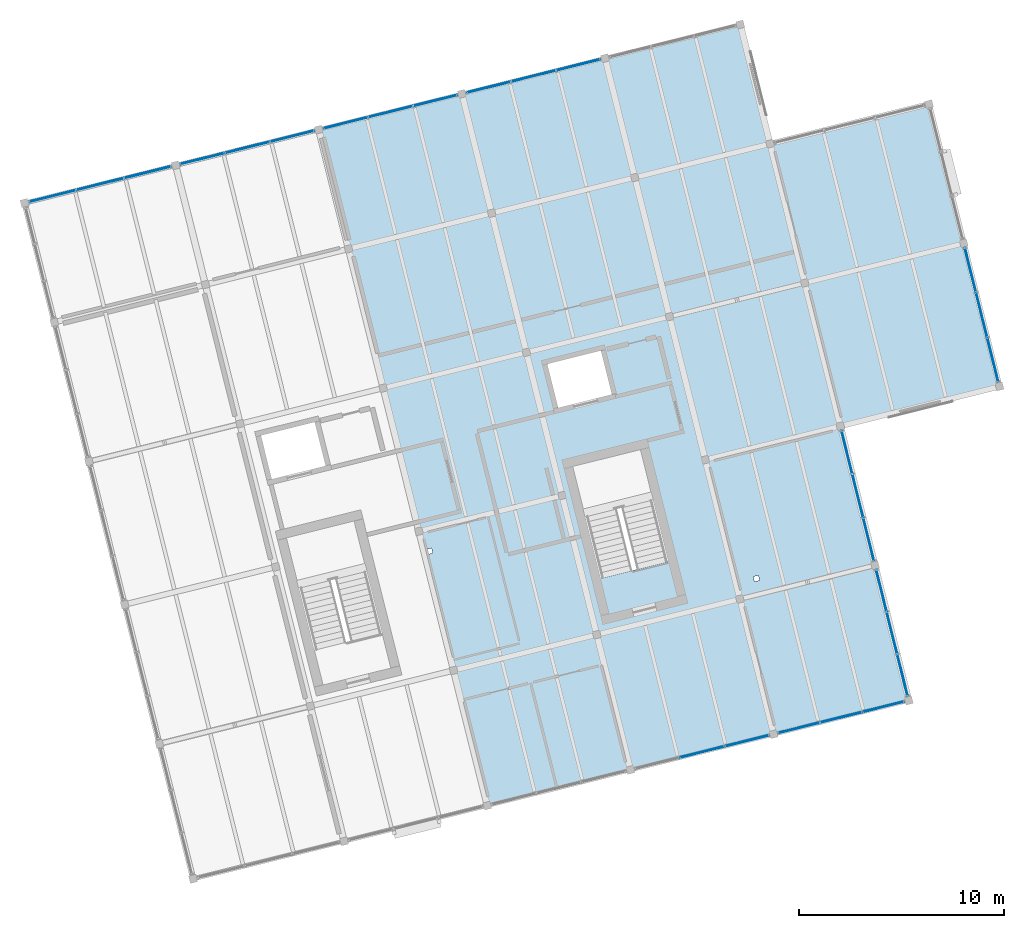
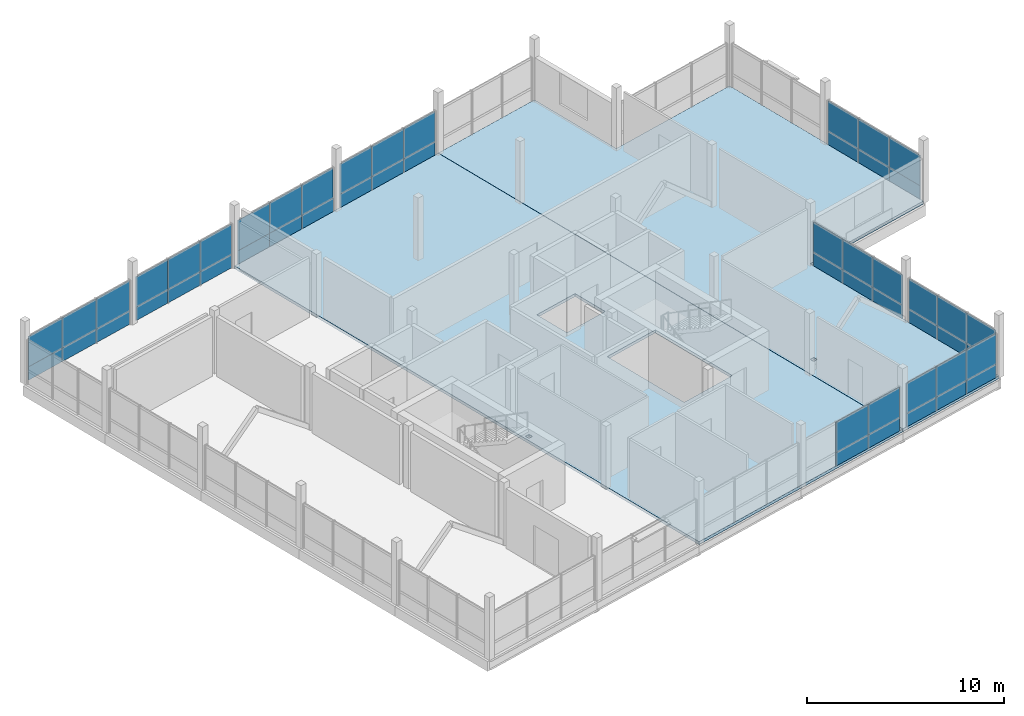
# One storey, part 22 of 26: 52 plates, 2 slabs, 9 elements without a shape of their own.
"""IFC4 building model written with IfcOpenShell, lengths in metres."""

from ifc_helpers import new_model, si_unit, direction, frame, origin, origin_2d, place, context, subcontext, project, spatial, polyline, rectangle, outline, extrude, material, layer, layer_set, type_object, element, aggregate, save


model = new_model("IFC4")

# Units and contexts
model_context = context("Model", 3, precision=1e-05, world=origin(), true_north=direction((0.0, 1.0)))
body_context = subcontext(model_context, "Body", "Model", "MODEL_VIEW")
ifc_project = project(units=[si_unit("LENGTHUNIT", "METRE"), si_unit("AREAUNIT", "SQUARE_METRE"), si_unit("VOLUMEUNIT", "CUBIC_METRE"), si_unit("PLANEANGLEUNIT", "RADIAN"), si_unit("MASSUNIT", "GRAM", prefix="KILO")], contexts=[model_context])

# Site, building, storey
site_placement = place(None, origin())
site = spatial("IfcSite", under=ifc_project, at=site_placement, CompositionType="ELEMENT")
building_placement = place(site_placement, origin())
building = spatial("IfcBuilding", under=site, at=building_placement, Name="Meriwether Solvik Hall", CompositionType="ELEMENT")
storey_placement = place(building_placement, frame((0.0, 0.0, 41.699951171875)))
storey = spatial("IfcBuildingStorey", under=building, at=storey_placement, Name="L10", CompositionType="ELEMENT", Elevation=41.699951171875)

# Curtain wall, plates
ifc_material_1 = material(Name="Thermally Broken Anodised Aluminium 6063-T6 and Low-E Glass", Category="aluminium")
ifc_layer_1 = layer(ifc_material_1, 0.179931640625)
ifc_layer_set_1 = layer_set([ifc_layer_1], Name="Thermally Broken Anodised Aluminium 6063-T6 and Low-E Glass")
curtain_wall_type_1 = type_object("IfcCurtainWallType", Name="CW-UNIT-E", PredefinedType="USERDEFINED", material=ifc_layer_set_1)
curtain_wall_1_placement = place(storey_placement, origin())
curtain_wall_1 = element("IfcCurtainWall", 1, at=curtain_wall_1_placement, inside=storey, type_object=curtain_wall_type_1, Name="Curtain Wall E0_B4 (L10)", ObjectType="UNITISED CURTAIN WALL", PredefinedType="USERDEFINED")
ifc_material_2 = material(Name="Low-Emissivity Double-Glazed Laminated Glass", Category="glass")
ifc_layer_2 = layer(ifc_material_2, 0.031982421875)
ifc_layer_set_2 = layer_set([ifc_layer_2], Name="Low-Emissivity Double-Glazed Laminated Glass")
plate_type_1 = type_object("IfcPlateType", Name="PLT-GLZ-180X185", PredefinedType="CURTAIN_PANEL", material=ifc_layer_set_2)
plate_1_placement = place(storey_placement, frame((102.28662109375, 49.59912109375, 0.8310546875), z_axis=(0.0, 0.0, 1.0), x_axis=(-0.970295737161, -0.241921851942, 0.0)))
plate_1 = element("IfcPlate", 2, at=plate_1_placement, type_object=plate_type_1, Name="Low-E Vision Glazing Panel 1", PredefinedType="CURTAIN_PANEL", context=body_context, shape_type="SweptSolid", body=[
    extrude(rectangle(XDim=2.091064453125, YDim=0.033935546875, at=origin_2d()), origin(), (0.0, 0.0, 1.0), 1.87890625),
])
plate_2_placement = place(storey_placement, frame((100.231689453125, 49.086669921875, 0.8310546875), z_axis=(0.0, 0.0, 1.0), x_axis=(-0.970295737161, -0.241921851942, 0.0)))
plate_2 = element("IfcPlate", 3, at=plate_2_placement, type_object=plate_type_1, Name="Low-E Vision Glazing Panel 2", PredefinedType="CURTAIN_PANEL", context=body_context, shape_type="SweptSolid", body=[
    extrude(rectangle(XDim=2.12890625, YDim=0.033935546875, at=origin_2d()), origin(), (0.0, 0.0, 1.0), 1.87890625),
])
plate_3_placement = place(storey_placement, frame((98.176513671875, 48.57421875, 0.8310546875), z_axis=(0.0, 0.0, 1.0), x_axis=(-0.970295737161, -0.241921851942, 0.0)))
plate_3 = element("IfcPlate", 4, at=plate_3_placement, type_object=plate_type_1, Name="Low-E Vision Glazing Panel 3", PredefinedType="CURTAIN_PANEL", context=body_context, shape_type="SweptSolid", body=[
    extrude(rectangle(XDim=2.091064453125, YDim=0.033935546875, at=origin_2d()), origin(), (0.0, 0.0, 1.0), 1.87890625),
])

ifc_material_3 = material(Name="Thermally Broken Anodised Aluminium 6063-T6 and Low-E Glass", Category="aluminium")
ifc_layer_3 = layer(ifc_material_3, 0.179931640625)
ifc_layer_set_3 = layer_set([ifc_layer_3], Name="Thermally Broken Anodised Aluminium 6063-T6 and Low-E Glass")
curtain_wall_type_2 = type_object("IfcCurtainWallType", Name="CW-UNIT-B", PredefinedType="USERDEFINED", material=ifc_layer_set_3)
curtain_wall_2_placement = place(storey_placement, origin())
curtain_wall_2 = element("IfcCurtainWall", 5, at=curtain_wall_2_placement, inside=storey, type_object=curtain_wall_type_2, Name="Curtain Wall E1_B0 (L10)", ObjectType="UNITISED CURTAIN WALL", PredefinedType="USERDEFINED")
plate_4_placement = place(storey_placement, frame((102.19580078125, 55.26318359375, 0.8310546875), z_axis=(0.0, 0.0, 1.0), x_axis=(0.241921851942, -0.970295737161, 0.0)))
plate_4 = element("IfcPlate", 6, at=plate_4_placement, type_object=plate_type_1, Name="Low-E Vision Glazing Panel 1", PredefinedType="CURTAIN_PANEL", context=body_context, shape_type="SweptSolid", body=[
    extrude(rectangle(XDim=2.091064453125, YDim=0.033935546875, at=origin_2d()), origin(), (0.0, 0.0, 1.0), 1.87890625),
])
plate_5_placement = place(storey_placement, frame((102.7080078125, 53.208251953125, 0.8310546875), z_axis=(0.0, 0.0, 1.0), x_axis=(0.241921851942, -0.970295737161, 0.0)))
plate_5 = element("IfcPlate", 7, at=plate_5_placement, type_object=plate_type_1, Name="Low-E Vision Glazing Panel 2", PredefinedType="CURTAIN_PANEL", context=body_context, shape_type="SweptSolid", body=[
    extrude(rectangle(XDim=2.12890625, YDim=0.033935546875, at=origin_2d()), origin(), (0.0, 0.0, 1.0), 1.87890625),
])
plate_6_placement = place(storey_placement, frame((103.220458984375, 51.153076171875, 0.8310546875), z_axis=(0.0, 0.0, 1.0), x_axis=(0.241921851942, -0.970295737161, 0.0)))
plate_6 = element("IfcPlate", 8, at=plate_6_placement, type_object=plate_type_1, Name="Low-E Vision Glazing Panel 3", PredefinedType="CURTAIN_PANEL", context=body_context, shape_type="SweptSolid", body=[
    extrude(rectangle(XDim=2.091064453125, YDim=0.033935546875, at=origin_2d()), origin(), (0.0, 0.0, 1.0), 1.87890625),
])

ifc_material_4 = material(Name="Thermally Broken Anodised Aluminium 6063-T6 and Low-E Glass", Category="aluminium")
ifc_layer_4 = layer(ifc_material_4, 0.179931640625)
ifc_layer_set_4 = layer_set([ifc_layer_4], Name="Thermally Broken Anodised Aluminium 6063-T6 and Low-E Glass")
curtain_wall_type_3 = type_object("IfcCurtainWallType", Name="CW-UNIT-D", PredefinedType="USERDEFINED", material=ifc_layer_set_4)
curtain_wall_3_placement = place(storey_placement, origin())
curtain_wall_3 = element("IfcCurtainWall", 9, at=curtain_wall_3_placement, inside=storey, type_object=curtain_wall_type_3, Name="Curtain Wall E3_B0 (L10)", ObjectType="UNITISED CURTAIN WALL", PredefinedType="USERDEFINED")
plate_7_placement = place(storey_placement, frame((106.538818359375, 70.912109375, 0.8310546875), z_axis=(0.0, 0.0, 1.0), x_axis=(0.241921897937, -0.970295725693, 0.0)))
plate_7 = element("IfcPlate", 10, at=plate_7_placement, type_object=plate_type_1, Name="Low-E Vision Glazing Panel 1", PredefinedType="CURTAIN_PANEL", context=body_context, shape_type="SweptSolid", body=[
    extrude(rectangle(XDim=2.224365234375, YDim=0.033935546875, at=origin_2d()), origin(), (0.0, 0.0, 1.0), 1.87890625),
])
plate_8_placement = place(storey_placement, frame((107.08349609375, 68.727783203125, 0.8310546875), z_axis=(0.0, 0.0, 1.0), x_axis=(0.241921897937, -0.970295725693, 0.0)))
plate_8 = element("IfcPlate", 11, at=plate_8_placement, type_object=plate_type_1, Name="Low-E Vision Glazing Panel 2", PredefinedType="CURTAIN_PANEL", context=body_context, shape_type="SweptSolid", body=[
    extrude(rectangle(XDim=2.26220703125, YDim=0.033935546875, at=origin_2d()), origin(), (0.0, 0.0, 1.0), 1.87890625),
])
plate_9_placement = place(storey_placement, frame((107.628173828125, 66.543212890625, 0.8310546875), z_axis=(0.0, 0.0, 1.0), x_axis=(0.241921897937, -0.970295725693, 0.0)))
plate_9 = element("IfcPlate", 12, at=plate_9_placement, type_object=plate_type_1, Name="Low-E Vision Glazing Panel 3", PredefinedType="CURTAIN_PANEL", context=body_context, shape_type="SweptSolid", body=[
    extrude(rectangle(XDim=2.224365234375, YDim=0.033935546875, at=origin_2d()), origin(), (0.0, 0.0, 1.0), 1.87890625),
])

ifc_material_5 = material(Name="Thermally Broken Anodised Aluminium 6063-T6 and Low-E Glass", Category="aluminium")
ifc_layer_5 = layer(ifc_material_5, 0.179931640625)
ifc_layer_set_5 = layer_set([ifc_layer_5], Name="Thermally Broken Anodised Aluminium 6063-T6 and Low-E Glass")
curtain_wall_type_4 = type_object("IfcCurtainWallType", Name="CW-UNIT-G", PredefinedType="USERDEFINED", material=ifc_layer_set_5)
curtain_wall_4_placement = place(storey_placement, origin())
curtain_wall_4 = element("IfcCurtainWall", 13, at=curtain_wall_4_placement, inside=storey, type_object=curtain_wall_type_4, Name="Curtain Wall E6_B0 (L10)", ObjectType="UNITISED CURTAIN WALL", PredefinedType="USERDEFINED")
plate_10_placement = place(storey_placement, frame((61.748046875, 74.532470703125, 0.8310546875), z_axis=(0.0, 0.0, 1.0), x_axis=(0.97029575617, 0.241921775701, 0.0)))
plate_10 = element("IfcPlate", 14, at=plate_10_placement, type_object=plate_type_1, Name="Low-E Vision Glazing Panel 1", PredefinedType="CURTAIN_PANEL", context=body_context, shape_type="SweptSolid", body=[
    extrude(rectangle(XDim=2.357666015625, YDim=0.033935546875, at=origin_2d()), origin(), (0.0, 0.0, 1.0), 1.87890625),
])
plate_11_placement = place(storey_placement, frame((64.061767578125, 75.109375, 0.8310546875), z_axis=(0.0, 0.0, 1.0), x_axis=(0.97029575617, 0.241921775701, 0.0)))
plate_11 = element("IfcPlate", 15, at=plate_11_placement, type_object=plate_type_1, Name="Low-E Vision Glazing Panel 2", PredefinedType="CURTAIN_PANEL", context=body_context, shape_type="SweptSolid", body=[
    extrude(rectangle(XDim=2.395751953125, YDim=0.033935546875, at=origin_2d()), origin(), (0.0, 0.0, 1.0), 1.87890625),
])
plate_12_placement = place(storey_placement, frame((66.37548828125, 75.686279296875, 0.8310546875), z_axis=(0.0, 0.0, 1.0), x_axis=(0.97029575617, 0.241921775701, 0.0)))
plate_12 = element("IfcPlate", 16, at=plate_12_placement, type_object=plate_type_1, Name="Low-E Vision Glazing Panel 3", PredefinedType="CURTAIN_PANEL", context=body_context, shape_type="SweptSolid", body=[
    extrude(rectangle(XDim=2.357666015625, YDim=0.033935546875, at=origin_2d()), origin(), (0.0, 0.0, 1.0), 1.87890625),
])

curtain_wall_5_placement = place(storey_placement, origin())
curtain_wall_5 = element("IfcCurtainWall", 17, at=curtain_wall_5_placement, inside=storey, type_object=curtain_wall_type_3, Name="Curtain Wall E0_B3 (L10)", ObjectType="UNITISED CURTAIN WALL", PredefinedType="USERDEFINED")
ifc_material_6 = material(Name="Low-Emissivity Double-Glazed Laminated Glass", Category="glass")
ifc_layer_6 = layer(ifc_material_6, 0.031982421875)
ifc_layer_set_6 = layer_set([ifc_layer_6], Name="Low-Emissivity Double-Glazed Laminated Glass")
plate_type_2 = type_object("IfcPlateType", Name="PLT-GLZ-195X185", PredefinedType="CURTAIN_PANEL", material=ifc_layer_set_6)
plate_13_placement = place(storey_placement, frame((95.6240234375, 47.937744140625, 0.8310546875), z_axis=(0.0, 0.0, 1.0), x_axis=(-0.97029573429, -0.241921863457, 0.0)))
plate_13 = element("IfcPlate", 18, at=plate_13_placement, type_object=plate_type_2, Name="Low-E Vision Glazing Panel 1", PredefinedType="CURTAIN_PANEL", context=body_context, shape_type="SweptSolid", body=[
    extrude(rectangle(XDim=2.224365234375, YDim=0.033935546875, at=origin_2d()), origin(), (0.0, 0.0, 1.0), 1.87890625),
])
plate_14_placement = place(storey_placement, frame((93.439453125, 47.393310546875, 0.8310546875), z_axis=(0.0, 0.0, 1.0), x_axis=(-0.97029573429, -0.241921863457, 0.0)))
plate_14 = element("IfcPlate", 19, at=plate_14_placement, type_object=plate_type_2, Name="Low-E Vision Glazing Panel 2", PredefinedType="CURTAIN_PANEL", context=body_context, shape_type="SweptSolid", body=[
    extrude(rectangle(XDim=2.26220703125, YDim=0.033935546875, at=origin_2d()), origin(), (0.0, 0.0, 1.0), 1.87890625),
])

ifc_material_7 = material(Name="Thermally Broken Anodised Aluminium 6063-T6 and Low-E Glass", Category="aluminium")
ifc_layer_7 = layer(ifc_material_7, 0.179931640625)
ifc_layer_set_7 = layer_set([ifc_layer_7], Name="Thermally Broken Anodised Aluminium 6063-T6 and Low-E Glass")
curtain_wall_type_5 = type_object("IfcCurtainWallType", Name="CW-UNIT-C", PredefinedType="USERDEFINED", material=ifc_layer_set_7)
curtain_wall_6_placement = place(storey_placement, origin())
curtain_wall_6 = element("IfcCurtainWall", 20, at=curtain_wall_6_placement, inside=storey, type_object=curtain_wall_type_5, Name="Curtain Wall E6_B3 (L10)", ObjectType="UNITISED CURTAIN WALL", PredefinedType="USERDEFINED")
plate_15_placement = place(storey_placement, frame((83.02978515625, 79.838623046875, 0.8310546875), z_axis=(0.0, 0.0, 1.0), x_axis=(0.970295725693, 0.241921897937, 0.0)))
plate_15 = element("IfcPlate", 21, at=plate_15_placement, type_object=plate_type_2, Name="Low-E Vision Glazing Panel 1", PredefinedType="CURTAIN_PANEL", context=body_context, shape_type="SweptSolid", body=[
    extrude(rectangle(XDim=2.224365234375, YDim=0.033935546875, at=origin_2d()), origin(), (0.0, 0.0, 1.0), 1.87890625),
])
plate_16_placement = place(storey_placement, frame((85.214111328125, 80.38330078125, 0.8310546875), z_axis=(0.0, 0.0, 1.0), x_axis=(0.970295725693, 0.241921897937, 0.0)))
plate_16 = element("IfcPlate", 22, at=plate_16_placement, type_object=plate_type_2, Name="Low-E Vision Glazing Panel 2", PredefinedType="CURTAIN_PANEL", context=body_context, shape_type="SweptSolid", body=[
    extrude(rectangle(XDim=2.26220703125, YDim=0.033935546875, at=origin_2d()), origin(), (0.0, 0.0, 1.0), 1.87890625),
])
plate_17_placement = place(storey_placement, frame((87.398681640625, 80.927978515625, 0.8310546875), z_axis=(0.0, 0.0, 1.0), x_axis=(0.970295725693, 0.241921897937, 0.0)))
plate_17 = element("IfcPlate", 23, at=plate_17_placement, type_object=plate_type_2, Name="Low-E Vision Glazing Panel 3", PredefinedType="CURTAIN_PANEL", context=body_context, shape_type="SweptSolid", body=[
    extrude(rectangle(XDim=2.224365234375, YDim=0.033935546875, at=origin_2d()), origin(), (0.0, 0.0, 1.0), 1.87890625),
])

curtain_wall_7_placement = place(storey_placement, origin())
curtain_wall_7 = element("IfcCurtainWall", 24, at=curtain_wall_7_placement, inside=storey, type_object=curtain_wall_type_2, Name="Curtain Wall E6_B2 (L10)", ObjectType="UNITISED CURTAIN WALL", PredefinedType="USERDEFINED")
ifc_material_8 = material(Name="Low-Emissivity Double-Glazed Laminated Glass", Category="glass")
ifc_layer_8 = layer(ifc_material_8, 0.031982421875)
ifc_layer_set_8 = layer_set([ifc_layer_8], Name="Low-Emissivity Double-Glazed Laminated Glass")
plate_type_3 = type_object("IfcPlateType", Name="PLT-GLZ-210X195", PredefinedType="CURTAIN_PANEL", material=ifc_layer_set_8)
plate_18_placement = place(storey_placement, frame((76.043701171875, 78.0966796875, 0.8310546875), z_axis=(0.0, 0.0, 1.0), x_axis=(0.970295725693, 0.241921897937, 0.0)))
plate_18 = element("IfcPlate", 25, at=plate_18_placement, type_object=plate_type_3, Name="Low-E Vision Glazing Panel 1", PredefinedType="CURTAIN_PANEL", context=body_context, shape_type="SweptSolid", body=[
    extrude(rectangle(XDim=2.224365234375, YDim=0.033935546875, at=origin_2d()), origin(), (0.0, 0.0, 1.0), 1.87890625),
])
plate_19_placement = place(storey_placement, frame((78.22802734375, 78.641357421875, 0.8310546875), z_axis=(0.0, 0.0, 1.0), x_axis=(0.970295725693, 0.241921897937, 0.0)))
plate_19 = element("IfcPlate", 26, at=plate_19_placement, type_object=plate_type_3, Name="Low-E Vision Glazing Panel 2", PredefinedType="CURTAIN_PANEL", context=body_context, shape_type="SweptSolid", body=[
    extrude(rectangle(XDim=2.26220703125, YDim=0.033935546875, at=origin_2d()), origin(), (0.0, 0.0, 1.0), 1.87890625),
])
plate_20_placement = place(storey_placement, frame((80.41259765625, 79.18603515625, 0.8310546875), z_axis=(0.0, 0.0, 1.0), x_axis=(0.970295725693, 0.241921897937, 0.0)))
plate_20 = element("IfcPlate", 27, at=plate_20_placement, type_object=plate_type_3, Name="Low-E Vision Glazing Panel 3", PredefinedType="CURTAIN_PANEL", context=body_context, shape_type="SweptSolid", body=[
    extrude(rectangle(XDim=2.224365234375, YDim=0.033935546875, at=origin_2d()), origin(), (0.0, 0.0, 1.0), 1.87890625),
])

curtain_wall_8_placement = place(storey_placement, origin())
curtain_wall_8 = element("IfcCurtainWall", 28, at=curtain_wall_8_placement, inside=storey, type_object=curtain_wall_type_5, Name="Curtain Wall E1_B1 (L10)", ObjectType="UNITISED CURTAIN WALL", PredefinedType="USERDEFINED")
ifc_material_9 = material(Name="Low-Emissivity Double-Glazed Laminated Glass", Category="glass")
ifc_layer_9 = layer(ifc_material_9, 0.031982421875)
ifc_layer_set_9 = layer_set([ifc_layer_9], Name="Low-Emissivity Double-Glazed Laminated Glass")
plate_type_4 = type_object("IfcPlateType", Name="PLT-GLZ-225X195", PredefinedType="CURTAIN_PANEL", material=ifc_layer_set_9)
plate_21_placement = place(storey_placement, frame((100.51025390625, 62.02294921875, 0.8310546875), z_axis=(0.0, 0.0, 1.0), x_axis=(0.241921804422, -0.970295749009, 0.0)))
plate_21 = element("IfcPlate", 29, at=plate_21_placement, type_object=plate_type_4, Name="Low-E Vision Glazing Panel 1", PredefinedType="CURTAIN_PANEL", context=body_context, shape_type="SweptSolid", body=[
    extrude(rectangle(XDim=2.15771484375, YDim=0.033935546875, at=origin_2d()), origin(), (0.0, 0.0, 1.0), 1.87890625),
])
plate_22_placement = place(storey_placement, frame((101.038818359375, 59.9033203125, 0.8310546875), z_axis=(0.0, 0.0, 1.0), x_axis=(0.241921804422, -0.970295749009, 0.0)))
plate_22 = element("IfcPlate", 30, at=plate_22_placement, type_object=plate_type_4, Name="Low-E Vision Glazing Panel 2", PredefinedType="CURTAIN_PANEL", context=body_context, shape_type="SweptSolid", body=[
    extrude(rectangle(XDim=2.19580078125, YDim=0.033935546875, at=origin_2d()), origin(), (0.0, 0.0, 1.0), 1.87890625),
])
plate_23_placement = place(storey_placement, frame((101.5673828125, 57.783447265625, 0.8310546875), z_axis=(0.0, 0.0, 1.0), x_axis=(0.241921804422, -0.970295749009, 0.0)))
plate_23 = element("IfcPlate", 31, at=plate_23_placement, type_object=plate_type_4, Name="Low-E Vision Glazing Panel 3", PredefinedType="CURTAIN_PANEL", context=body_context, shape_type="SweptSolid", body=[
    extrude(rectangle(XDim=2.15771484375, YDim=0.033935546875, at=origin_2d()), origin(), (0.0, 0.0, 1.0), 1.87890625),
])

ifc_material_10 = material(Name="Thermally Broken Anodised Aluminium 6063-T6 and Low-E Glass", Category="aluminium")
ifc_layer_10 = layer(ifc_material_10, 0.179931640625)
ifc_layer_set_10 = layer_set([ifc_layer_10], Name="Thermally Broken Anodised Aluminium 6063-T6 and Low-E Glass")
curtain_wall_type_6 = type_object("IfcCurtainWallType", Name="CW-UNIT-A", PredefinedType="USERDEFINED", material=ifc_layer_set_10)
curtain_wall_9_placement = place(storey_placement, origin())
curtain_wall_9 = element("IfcCurtainWall", 32, at=curtain_wall_9_placement, inside=storey, type_object=curtain_wall_type_6, Name="Curtain Wall E6_B1 (L10)", ObjectType="UNITISED CURTAIN WALL", PredefinedType="USERDEFINED")
plate_24_placement = place(storey_placement, frame((69.0576171875, 76.35498046875, 0.8310546875), z_axis=(0.0, 0.0, 1.0), x_axis=(0.970295725693, 0.241921897937, 0.0)))
plate_24 = element("IfcPlate", 33, at=plate_24_placement, type_object=plate_type_4, Name="Low-E Vision Glazing Panel 1", PredefinedType="CURTAIN_PANEL", context=body_context, shape_type="SweptSolid", body=[
    extrude(rectangle(XDim=2.224365234375, YDim=0.033935546875, at=origin_2d()), origin(), (0.0, 0.0, 1.0), 1.87890625),
])
plate_25_placement = place(storey_placement, frame((71.241943359375, 76.899658203125, 0.8310546875), z_axis=(0.0, 0.0, 1.0), x_axis=(0.970295725693, 0.241921897937, 0.0)))
plate_25 = element("IfcPlate", 34, at=plate_25_placement, type_object=plate_type_4, Name="Low-E Vision Glazing Panel 2", PredefinedType="CURTAIN_PANEL", context=body_context, shape_type="SweptSolid", body=[
    extrude(rectangle(XDim=2.26220703125, YDim=0.033935546875, at=origin_2d()), origin(), (0.0, 0.0, 1.0), 1.87890625),
])
plate_26_placement = place(storey_placement, frame((73.426513671875, 77.4443359375, 0.8310546875), z_axis=(0.0, 0.0, 1.0), x_axis=(0.970295725693, 0.241921897937, 0.0)))
plate_26 = element("IfcPlate", 35, at=plate_26_placement, type_object=plate_type_4, Name="Low-E Vision Glazing Panel 3", PredefinedType="CURTAIN_PANEL", context=body_context, shape_type="SweptSolid", body=[
    extrude(rectangle(XDim=2.224365234375, YDim=0.033935546875, at=origin_2d()), origin(), (0.0, 0.0, 1.0), 1.87890625),
])

# Plate
ifc_material_11 = material(Name="Mineral-Wool Insulated Anodised Aluminium 6063-T6", Category="aluminium")
ifc_layer_11 = layer(ifc_material_11, 0.044921875)
ifc_layer_set_11 = layer_set([ifc_layer_11], Name="Mineral-Wool Insulated Anodised Aluminium 6063-T6")
plate_type_5 = type_object("IfcPlateType", Name="PLT-SPN-225X085", PredefinedType="CURTAIN_PANEL", material=ifc_layer_set_11)
plate_27_placement = place(storey_placement, frame((95.6240234375, 47.937744140625, 0.0), z_axis=(0.0, 0.0, 1.0), x_axis=(-0.97029573429, -0.241921863457, 0.0)))
plate_27 = element("IfcPlate", 36, at=plate_27_placement, type_object=plate_type_5, Name="Insulated Spandrel Panel 1", PredefinedType="CURTAIN_PANEL", context=body_context, shape_type="SweptSolid", body=[
    extrude(rectangle(XDim=2.224365234375, YDim=0.044921875, at=origin_2d()), origin(), (0.0, 0.0, 1.0), 0.8310546875),
])

plate_28_placement = place(storey_placement, frame((93.439453125, 47.393310546875, 0.0), z_axis=(0.0, 0.0, 1.0), x_axis=(-0.97029573429, -0.241921863457, 0.0)))
plate_28 = element("IfcPlate", 37, at=plate_28_placement, type_object=plate_type_5, Name="Insulated Spandrel Panel 2", PredefinedType="CURTAIN_PANEL", context=body_context, shape_type="SweptSolid", body=[
    extrude(rectangle(XDim=2.26220703125, YDim=0.044921875, at=origin_2d()), origin(), (0.0, 0.0, 1.0), 0.8310546875),
])

aggregate(curtain_wall_5, [plate_27, plate_13, plate_28, plate_14])

plate_29_placement = place(storey_placement, frame((102.28662109375, 49.59912109375, 0.0), z_axis=(0.0, 0.0, 1.0), x_axis=(-0.970295737161, -0.241921851942, 0.0)))
plate_29 = element("IfcPlate", 38, at=plate_29_placement, type_object=plate_type_5, Name="Insulated Spandrel Panel 1", PredefinedType="CURTAIN_PANEL", context=body_context, shape_type="SweptSolid", body=[
    extrude(rectangle(XDim=2.091064453125, YDim=0.044921875, at=origin_2d()), origin(), (0.0, 0.0, 1.0), 0.8310546875),
])

plate_30_placement = place(storey_placement, frame((100.231689453125, 49.086669921875, 0.0), z_axis=(0.0, 0.0, 1.0), x_axis=(-0.970295737161, -0.241921851942, 0.0)))
plate_30 = element("IfcPlate", 39, at=plate_30_placement, type_object=plate_type_5, Name="Insulated Spandrel Panel 2", PredefinedType="CURTAIN_PANEL", context=body_context, shape_type="SweptSolid", body=[
    extrude(rectangle(XDim=2.12890625, YDim=0.044921875, at=origin_2d()), origin(), (0.0, 0.0, 1.0), 0.8310546875),
])

plate_31_placement = place(storey_placement, frame((98.176513671875, 48.57421875, 0.0), z_axis=(0.0, 0.0, 1.0), x_axis=(-0.970295737161, -0.241921851942, 0.0)))
plate_31 = element("IfcPlate", 40, at=plate_31_placement, type_object=plate_type_5, Name="Insulated Spandrel Panel 3", PredefinedType="CURTAIN_PANEL", context=body_context, shape_type="SweptSolid", body=[
    extrude(rectangle(XDim=2.091064453125, YDim=0.044921875, at=origin_2d()), origin(), (0.0, 0.0, 1.0), 0.8310546875),
])

aggregate(curtain_wall_1, [plate_29, plate_1, plate_30, plate_2, plate_31, plate_3])

plate_32_placement = place(storey_placement, frame((102.19580078125, 55.26318359375, 0.0), z_axis=(0.0, 0.0, 1.0), x_axis=(0.241921851942, -0.970295737161, 0.0)))
plate_32 = element("IfcPlate", 41, at=plate_32_placement, type_object=plate_type_5, Name="Insulated Spandrel Panel 1", PredefinedType="CURTAIN_PANEL", context=body_context, shape_type="SweptSolid", body=[
    extrude(rectangle(XDim=2.091064453125, YDim=0.044921875, at=origin_2d()), origin(), (0.0, 0.0, 1.0), 0.8310546875),
])

plate_33_placement = place(storey_placement, frame((102.7080078125, 53.208251953125, 0.0), z_axis=(0.0, 0.0, 1.0), x_axis=(0.241921851942, -0.970295737161, 0.0)))
plate_33 = element("IfcPlate", 42, at=plate_33_placement, type_object=plate_type_5, Name="Insulated Spandrel Panel 2", PredefinedType="CURTAIN_PANEL", context=body_context, shape_type="SweptSolid", body=[
    extrude(rectangle(XDim=2.12890625, YDim=0.044921875, at=origin_2d()), origin(), (0.0, 0.0, 1.0), 0.8310546875),
])

plate_34_placement = place(storey_placement, frame((103.220458984375, 51.153076171875, 0.0), z_axis=(0.0, 0.0, 1.0), x_axis=(0.241921851942, -0.970295737161, 0.0)))
plate_34 = element("IfcPlate", 43, at=plate_34_placement, type_object=plate_type_5, Name="Insulated Spandrel Panel 3", PredefinedType="CURTAIN_PANEL", context=body_context, shape_type="SweptSolid", body=[
    extrude(rectangle(XDim=2.091064453125, YDim=0.044921875, at=origin_2d()), origin(), (0.0, 0.0, 1.0), 0.8310546875),
])

aggregate(curtain_wall_2, [plate_32, plate_4, plate_33, plate_5, plate_34, plate_6])

plate_35_placement = place(storey_placement, frame((100.51025390625, 62.02294921875, 0.0), z_axis=(0.0, 0.0, 1.0), x_axis=(0.241921804422, -0.970295749009, 0.0)))
plate_35 = element("IfcPlate", 44, at=plate_35_placement, type_object=plate_type_5, Name="Insulated Spandrel Panel 1", PredefinedType="CURTAIN_PANEL", context=body_context, shape_type="SweptSolid", body=[
    extrude(rectangle(XDim=2.15771484375, YDim=0.044921875, at=origin_2d()), origin(), (0.0, 0.0, 1.0), 0.8310546875),
])

plate_36_placement = place(storey_placement, frame((101.038818359375, 59.9033203125, 0.0), z_axis=(0.0, 0.0, 1.0), x_axis=(0.241921804422, -0.970295749009, 0.0)))
plate_36 = element("IfcPlate", 45, at=plate_36_placement, type_object=plate_type_5, Name="Insulated Spandrel Panel 2", PredefinedType="CURTAIN_PANEL", context=body_context, shape_type="SweptSolid", body=[
    extrude(rectangle(XDim=2.19580078125, YDim=0.044921875, at=origin_2d()), origin(), (0.0, 0.0, 1.0), 0.8310546875),
])

plate_37_placement = place(storey_placement, frame((101.5673828125, 57.783447265625, 0.0), z_axis=(0.0, 0.0, 1.0), x_axis=(0.241921804422, -0.970295749009, 0.0)))
plate_37 = element("IfcPlate", 46, at=plate_37_placement, type_object=plate_type_5, Name="Insulated Spandrel Panel 3", PredefinedType="CURTAIN_PANEL", context=body_context, shape_type="SweptSolid", body=[
    extrude(rectangle(XDim=2.15771484375, YDim=0.044921875, at=origin_2d()), origin(), (0.0, 0.0, 1.0), 0.8310546875),
])

aggregate(curtain_wall_8, [plate_35, plate_21, plate_36, plate_22, plate_37, plate_23])

plate_38_placement = place(storey_placement, frame((106.538818359375, 70.912109375, 0.0), z_axis=(0.0, 0.0, 1.0), x_axis=(0.241921897937, -0.970295725693, 0.0)))
plate_38 = element("IfcPlate", 47, at=plate_38_placement, type_object=plate_type_5, Name="Insulated Spandrel Panel 1", PredefinedType="CURTAIN_PANEL", context=body_context, shape_type="SweptSolid", body=[
    extrude(rectangle(XDim=2.224365234375, YDim=0.044921875, at=origin_2d()), origin(), (0.0, 0.0, 1.0), 0.8310546875),
])

plate_39_placement = place(storey_placement, frame((107.08349609375, 68.727783203125, 0.0), z_axis=(0.0, 0.0, 1.0), x_axis=(0.241921897937, -0.970295725693, 0.0)))
plate_39 = element("IfcPlate", 48, at=plate_39_placement, type_object=plate_type_5, Name="Insulated Spandrel Panel 2", PredefinedType="CURTAIN_PANEL", context=body_context, shape_type="SweptSolid", body=[
    extrude(rectangle(XDim=2.26220703125, YDim=0.044921875, at=origin_2d()), origin(), (0.0, 0.0, 1.0), 0.8310546875),
])

plate_40_placement = place(storey_placement, frame((107.628173828125, 66.543212890625, 0.0), z_axis=(0.0, 0.0, 1.0), x_axis=(0.241921897937, -0.970295725693, 0.0)))
plate_40 = element("IfcPlate", 49, at=plate_40_placement, type_object=plate_type_5, Name="Insulated Spandrel Panel 3", PredefinedType="CURTAIN_PANEL", context=body_context, shape_type="SweptSolid", body=[
    extrude(rectangle(XDim=2.224365234375, YDim=0.044921875, at=origin_2d()), origin(), (0.0, 0.0, 1.0), 0.8310546875),
])

aggregate(curtain_wall_3, [plate_38, plate_7, plate_39, plate_8, plate_40, plate_9])

plate_41_placement = place(storey_placement, frame((61.748046875, 74.532470703125, 0.0), z_axis=(0.0, 0.0, 1.0), x_axis=(0.97029575617, 0.241921775701, 0.0)))
plate_41 = element("IfcPlate", 50, at=plate_41_placement, type_object=plate_type_5, Name="Insulated Spandrel Panel 1", PredefinedType="CURTAIN_PANEL", context=body_context, shape_type="SweptSolid", body=[
    extrude(rectangle(XDim=2.357666015625, YDim=0.044921875, at=origin_2d()), origin(), (0.0, 0.0, 1.0), 0.8310546875),
])

plate_42_placement = place(storey_placement, frame((64.061767578125, 75.109375, 0.0), z_axis=(0.0, 0.0, 1.0), x_axis=(0.97029575617, 0.241921775701, 0.0)))
plate_42 = element("IfcPlate", 51, at=plate_42_placement, type_object=plate_type_5, Name="Insulated Spandrel Panel 2", PredefinedType="CURTAIN_PANEL", context=body_context, shape_type="SweptSolid", body=[
    extrude(rectangle(XDim=2.395751953125, YDim=0.044921875, at=origin_2d()), origin(), (0.0, 0.0, 1.0), 0.8310546875),
])

plate_43_placement = place(storey_placement, frame((66.37548828125, 75.686279296875, 0.0), z_axis=(0.0, 0.0, 1.0), x_axis=(0.97029575617, 0.241921775701, 0.0)))
plate_43 = element("IfcPlate", 52, at=plate_43_placement, type_object=plate_type_5, Name="Insulated Spandrel Panel 3", PredefinedType="CURTAIN_PANEL", context=body_context, shape_type="SweptSolid", body=[
    extrude(rectangle(XDim=2.357666015625, YDim=0.044921875, at=origin_2d()), origin(), (0.0, 0.0, 1.0), 0.8310546875),
])

aggregate(curtain_wall_4, [plate_41, plate_10, plate_42, plate_11, plate_43, plate_12])

plate_44_placement = place(storey_placement, frame((69.0576171875, 76.35498046875, 0.0), z_axis=(0.0, 0.0, 1.0), x_axis=(0.970295725693, 0.241921897937, 0.0)))
plate_44 = element("IfcPlate", 53, at=plate_44_placement, type_object=plate_type_5, Name="Insulated Spandrel Panel 1", PredefinedType="CURTAIN_PANEL", context=body_context, shape_type="SweptSolid", body=[
    extrude(rectangle(XDim=2.224365234375, YDim=0.044921875, at=origin_2d()), origin(), (0.0, 0.0, 1.0), 0.8310546875),
])

plate_45_placement = place(storey_placement, frame((71.241943359375, 76.899658203125, 0.0), z_axis=(0.0, 0.0, 1.0), x_axis=(0.970295725693, 0.241921897937, 0.0)))
plate_45 = element("IfcPlate", 54, at=plate_45_placement, type_object=plate_type_5, Name="Insulated Spandrel Panel 2", PredefinedType="CURTAIN_PANEL", context=body_context, shape_type="SweptSolid", body=[
    extrude(rectangle(XDim=2.26220703125, YDim=0.044921875, at=origin_2d()), origin(), (0.0, 0.0, 1.0), 0.8310546875),
])

plate_46_placement = place(storey_placement, frame((73.426513671875, 77.4443359375, 0.0), z_axis=(0.0, 0.0, 1.0), x_axis=(0.970295725693, 0.241921897937, 0.0)))
plate_46 = element("IfcPlate", 55, at=plate_46_placement, type_object=plate_type_5, Name="Insulated Spandrel Panel 3", PredefinedType="CURTAIN_PANEL", context=body_context, shape_type="SweptSolid", body=[
    extrude(rectangle(XDim=2.224365234375, YDim=0.044921875, at=origin_2d()), origin(), (0.0, 0.0, 1.0), 0.8310546875),
])

aggregate(curtain_wall_9, [plate_44, plate_24, plate_45, plate_25, plate_46, plate_26])

plate_47_placement = place(storey_placement, frame((76.043701171875, 78.0966796875, 0.0), z_axis=(0.0, 0.0, 1.0), x_axis=(0.970295725693, 0.241921897937, 0.0)))
plate_47 = element("IfcPlate", 56, at=plate_47_placement, type_object=plate_type_5, Name="Insulated Spandrel Panel 1", PredefinedType="CURTAIN_PANEL", context=body_context, shape_type="SweptSolid", body=[
    extrude(rectangle(XDim=2.224365234375, YDim=0.044921875, at=origin_2d()), origin(), (0.0, 0.0, 1.0), 0.8310546875),
])

plate_48_placement = place(storey_placement, frame((78.22802734375, 78.641357421875, 0.0), z_axis=(0.0, 0.0, 1.0), x_axis=(0.970295725693, 0.241921897937, 0.0)))
plate_48 = element("IfcPlate", 57, at=plate_48_placement, type_object=plate_type_5, Name="Insulated Spandrel Panel 2", PredefinedType="CURTAIN_PANEL", context=body_context, shape_type="SweptSolid", body=[
    extrude(rectangle(XDim=2.26220703125, YDim=0.044921875, at=origin_2d()), origin(), (0.0, 0.0, 1.0), 0.8310546875),
])

plate_49_placement = place(storey_placement, frame((80.41259765625, 79.18603515625, 0.0), z_axis=(0.0, 0.0, 1.0), x_axis=(0.970295725693, 0.241921897937, 0.0)))
plate_49 = element("IfcPlate", 58, at=plate_49_placement, type_object=plate_type_5, Name="Insulated Spandrel Panel 3", PredefinedType="CURTAIN_PANEL", context=body_context, shape_type="SweptSolid", body=[
    extrude(rectangle(XDim=2.224365234375, YDim=0.044921875, at=origin_2d()), origin(), (0.0, 0.0, 1.0), 0.8310546875),
])

aggregate(curtain_wall_7, [plate_47, plate_18, plate_48, plate_19, plate_49, plate_20])

plate_50_placement = place(storey_placement, frame((83.02978515625, 79.838623046875, 0.0), z_axis=(0.0, 0.0, 1.0), x_axis=(0.970295725693, 0.241921897937, 0.0)))
plate_50 = element("IfcPlate", 59, at=plate_50_placement, type_object=plate_type_5, Name="Insulated Spandrel Panel 1", PredefinedType="CURTAIN_PANEL", context=body_context, shape_type="SweptSolid", body=[
    extrude(rectangle(XDim=2.224365234375, YDim=0.044921875, at=origin_2d()), origin(), (0.0, 0.0, 1.0), 0.8310546875),
])

plate_51_placement = place(storey_placement, frame((85.214111328125, 80.38330078125, 0.0), z_axis=(0.0, 0.0, 1.0), x_axis=(0.970295725693, 0.241921897937, 0.0)))
plate_51 = element("IfcPlate", 60, at=plate_51_placement, type_object=plate_type_5, Name="Insulated Spandrel Panel 2", PredefinedType="CURTAIN_PANEL", context=body_context, shape_type="SweptSolid", body=[
    extrude(rectangle(XDim=2.26220703125, YDim=0.044921875, at=origin_2d()), origin(), (0.0, 0.0, 1.0), 0.8310546875),
])

plate_52_placement = place(storey_placement, frame((87.398681640625, 80.927978515625, 0.0), z_axis=(0.0, 0.0, 1.0), x_axis=(0.970295725693, 0.241921897937, 0.0)))
plate_52 = element("IfcPlate", 61, at=plate_52_placement, type_object=plate_type_5, Name="Insulated Spandrel Panel 3", PredefinedType="CURTAIN_PANEL", context=body_context, shape_type="SweptSolid", body=[
    extrude(rectangle(XDim=2.224365234375, YDim=0.044921875, at=origin_2d()), origin(), (0.0, 0.0, 1.0), 0.8310546875),
])

aggregate(curtain_wall_6, [plate_50, plate_15, plate_51, plate_16, plate_52, plate_17])

# Slabs
ifc_material_12 = material(Name="Cross-Laminated Timber PRG 320 E1", Category="wood")
ifc_layer_12 = layer(ifc_material_12, 0.179931640625)
ifc_layer_set_12 = layer_set([ifc_layer_12], Name="Cross-Laminated Timber PRG 320 E1")
slab_type = type_object("IfcSlabType", Name="SLB-CLT-180", PredefinedType="FLOOR", material=ifc_layer_set_12)
slab_1_placement = place(storey_placement, frame((0.0, 0.0, -0.179931640625)))
element("IfcSlab", 62, at=slab_1_placement, inside=storey, type_object=slab_type, Name="L10 Mass-Timber CLT Floor C", PredefinedType="FLOOR", context=body_context, shape_type="SweptSolid", body=[
    extrude(outline(polyline([(88.704345703125, 81.25341796875), (96.9296875, 48.263427734375), (82.96337890625, 44.78125), (74.738037109375, 77.771240234375), (88.704345703125, 81.25341796875)]), holes=[polyline([(79.997314453125, 57.284912109375), (80.0576171875, 57.04248046875), (80.30029296875, 57.10302734375), (80.23974609375, 57.345458984375), (79.997314453125, 57.284912109375)]), polyline([(88.492919921875, 55.8662109375), (91.791748046875, 56.688720703125), (90.429443359375, 62.1533203125), (87.13037109375, 61.330810546875), (88.492919921875, 55.8662109375)]), polyline([(85.884521484375, 66.327880859375), (86.416748046875, 64.193359375), (89.036376953125, 64.846435546875), (88.504150390625, 66.981201171875), (85.884521484375, 66.327880859375)])]), origin(), (0.0, 0.0, 1.0), 0.179931640625),
])
slab_2_placement = place(storey_placement, frame((0.0, 0.0, -0.179931640625)))
element("IfcSlab", 63, at=slab_2_placement, inside=storey, type_object=slab_type, Name="L10 Mass-Timber CLT Floor E", PredefinedType="FLOOR", context=body_context, shape_type="SweptSolid", body=[
    extrude(outline(polyline([(95.305419921875, 82.899169921875), (96.7568359375, 77.077392578125), (104.519287109375, 79.012939453125), (107.95458984375, 65.234619140625), (100.192138671875, 63.29931640625), (103.53076171875, 49.9091796875), (96.935546875, 48.264892578125), (88.710205078125, 81.2548828125), (95.305419921875, 82.899169921875)]), holes=[polyline([(95.943115234375, 55.953125), (96.003662109375, 55.71044921875), (96.24609375, 55.77099609375), (96.185791015625, 56.013671875), (95.943115234375, 55.953125)])]), origin(), (0.0, 0.0, 1.0), 0.179931640625),
])

save(model, "model.ifc")
